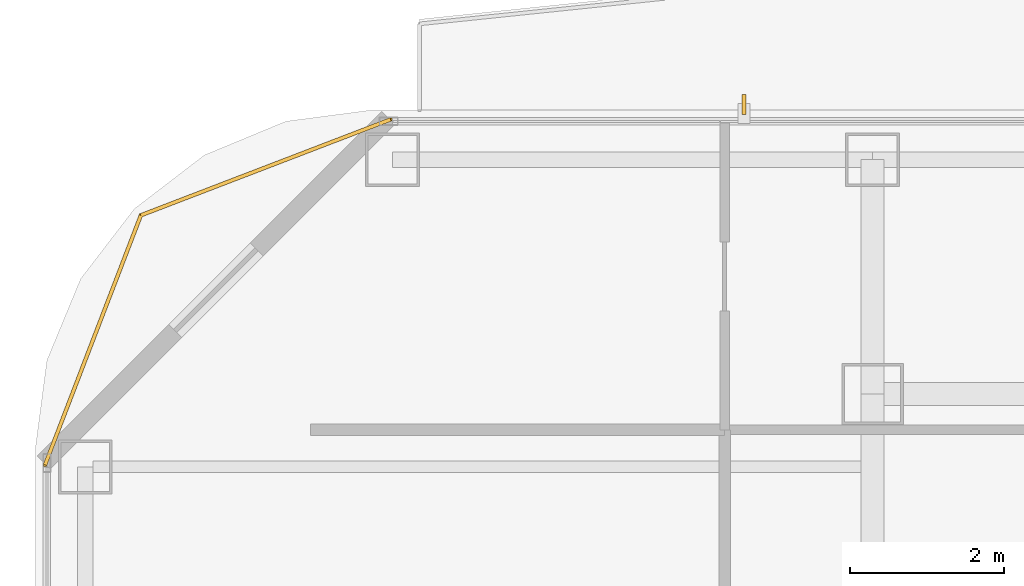
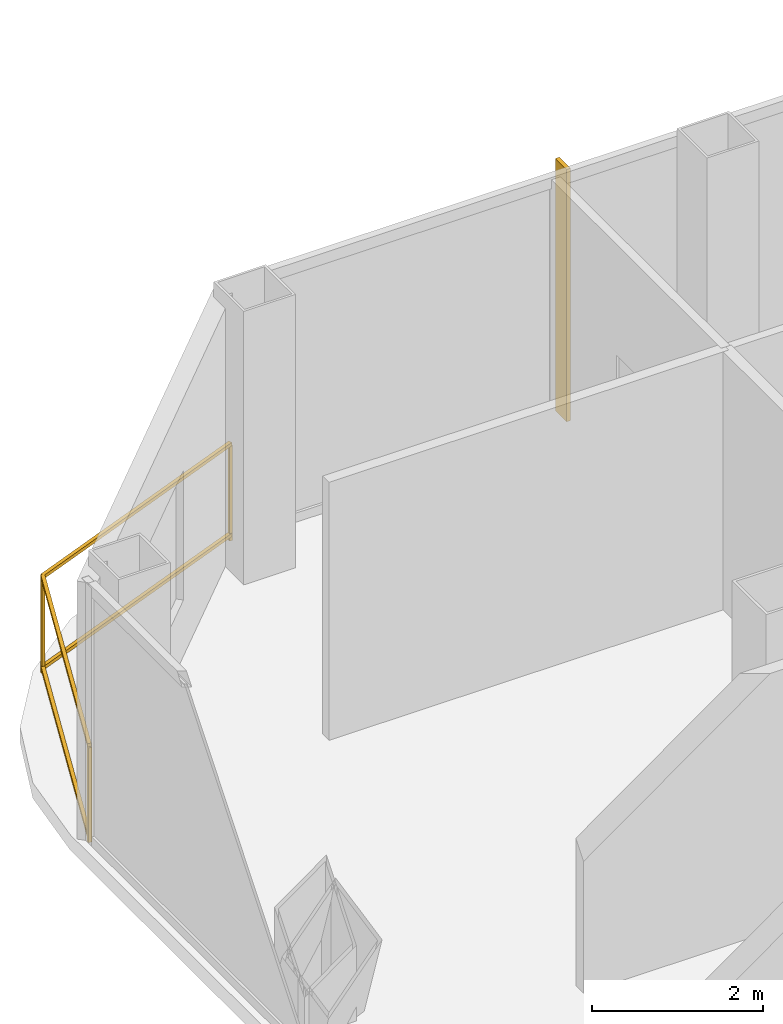
# One storey, part 32 of 34: 1 railing, 1 shading device.
"""IFC4 building model written with IfcOpenShell, lengths in metres."""

from ifc_helpers import new_model, si_unit, direction, frame, origin, origin_2d, place, context, subcontext, project, spatial, rectangle, extrude, material, layer, layer_set, type_object, element, save


model = new_model("IFC4")

# Units and contexts
model_context = context("Model", 3, precision=1e-05, world=origin(), true_north=direction((0.0, 1.0)))
body_context = subcontext(model_context, "Body", "Model", "MODEL_VIEW")
ifc_project = project(units=[si_unit("LENGTHUNIT", "METRE"), si_unit("AREAUNIT", "SQUARE_METRE"), si_unit("VOLUMEUNIT", "CUBIC_METRE"), si_unit("PLANEANGLEUNIT", "RADIAN"), si_unit("MASSUNIT", "GRAM", prefix="KILO")], contexts=[model_context])

# Site, building, storey
site_placement = place(None, origin())
site = spatial("IfcSite", under=ifc_project, at=site_placement, CompositionType="ELEMENT")
building_placement = place(site_placement, origin())
building = spatial("IfcBuilding", under=site, at=building_placement, Name="Khorvyn Point Tower", CompositionType="ELEMENT")
storey_placement = place(building_placement, frame((0.0, 0.0, 175.800048828125)))
storey = spatial("IfcBuildingStorey", under=building, at=storey_placement, Name="L43", CompositionType="ELEMENT", Elevation=175.800048828125)

# Railing
ifc_material_1 = material(Name="Anodised aluminium 6063-T6 and laminated safety glass", Category="aluminium")
railing_type = type_object("IfcRailingType", Name="Laminated Glass and Aluminium Balcony Guardrail 1400", PredefinedType="BALUSTRADE", material=ifc_material_1)
railing_placement = place(storey_placement, frame((-21.075927734375, 23.674072265625, 0.0)))
element("IfcRailing", 1, at=railing_placement, inside=storey, type_object=railing_type, Name="L43 Rounded Corner Edge Guardrail NW", PredefinedType="BALUSTRADE", context=body_context, shape_type="SweptSolid", body=[
    extrude(rectangle(XDim=0.048095703125, YDim=0.048095703125, at=origin_2d()), frame((0.0, 0.0, 1.3759765625), z_axis=(-0.933598390295, -0.358321148746, 0.0), x_axis=(0.358321148746, -0.933598390295, 0.0)), (0.0, 0.0, 1.0), 3.481689453125),
    extrude(rectangle(XDim=0.048095703125, YDim=0.048095703125, at=origin_2d()), frame((0.0, 0.0, 0.080078125), z_axis=(-0.933598390295, -0.358321148746, 0.0), x_axis=(0.358321148746, -0.933598390295, 0.0)), (0.0, 0.0, 1.0), 3.481689453125),
    extrude(rectangle(XDim=0.048095703125, YDim=0.048095703125, at=origin_2d()), frame((-3.25048828125, -1.24755859375, 1.3759765625), z_axis=(-0.358382264808, -0.933574931257, 0.0), x_axis=(0.933574931257, -0.358382264808, 0.0)), (0.0, 0.0, 1.0), 3.481689453125),
    extrude(rectangle(XDim=0.048095703125, YDim=0.048095703125, at=origin_2d()), frame((-3.25048828125, -1.24755859375, 0.080078125), z_axis=(-0.358382264808, -0.933574931257, 0.0), x_axis=(0.933574931257, -0.358382264808, 0.0)), (0.0, 0.0, 1.0), 3.481689453125),
    extrude(rectangle(XDim=0.0419921875, YDim=0.0419921875, at=origin_2d()), origin(), (0.0, 0.0, 1.0), 1.351806640625),
    extrude(rectangle(XDim=0.0419921875, YDim=0.0419921875, at=origin_2d()), frame((-3.25048828125, -1.24755859375, 0.0)), (0.0, 0.0, 1.0), 1.351806640625),
    extrude(rectangle(XDim=0.0419921875, YDim=0.0419921875, at=origin_2d()), frame((-4.498291015625, -4.498046875, 0.0)), (0.0, 0.0, 1.0), 1.351806640625),
])

# Shading device
ifc_material_2 = material(Name="Pale anodised aluminium 6063-T6", Category="aluminium")
ifc_layer = layer(ifc_material_2, 0.054931640625)
ifc_layer_set = layer_set([ifc_layer], Name="Pale Anodised Aluminium FIN 260x55")
shading_device_type = type_object("IfcShadingDeviceType", Name="Pale Anodised Aluminium FIN 260x55", PredefinedType="USERDEFINED", material=ifc_layer_set)
shading_device_placement = place(storey_placement, frame((-16.473388671875, 23.8701171875, 0.039794921875), z_axis=(0.0, 0.0, 1.0), x_axis=(0.0, 1.0, 0.0)))
element("IfcShadingDevice", 2, at=shading_device_placement, inside=storey, type_object=shading_device_type, Name="L43 Anodised FIN 01", ObjectType="FIN", PredefinedType="USERDEFINED", context=body_context, shape_type="SweptSolid", body=[
    extrude(rectangle(XDim=0.260009765625, YDim=0.054931640625, at=origin_2d()), origin(), (0.0, 0.0, 1.0), 3.60009765625),
])

save(model, "model.ifc")
